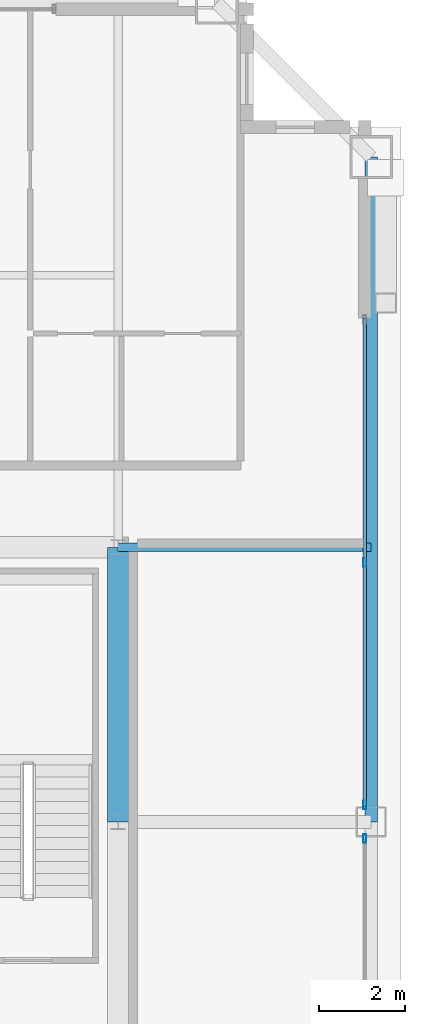
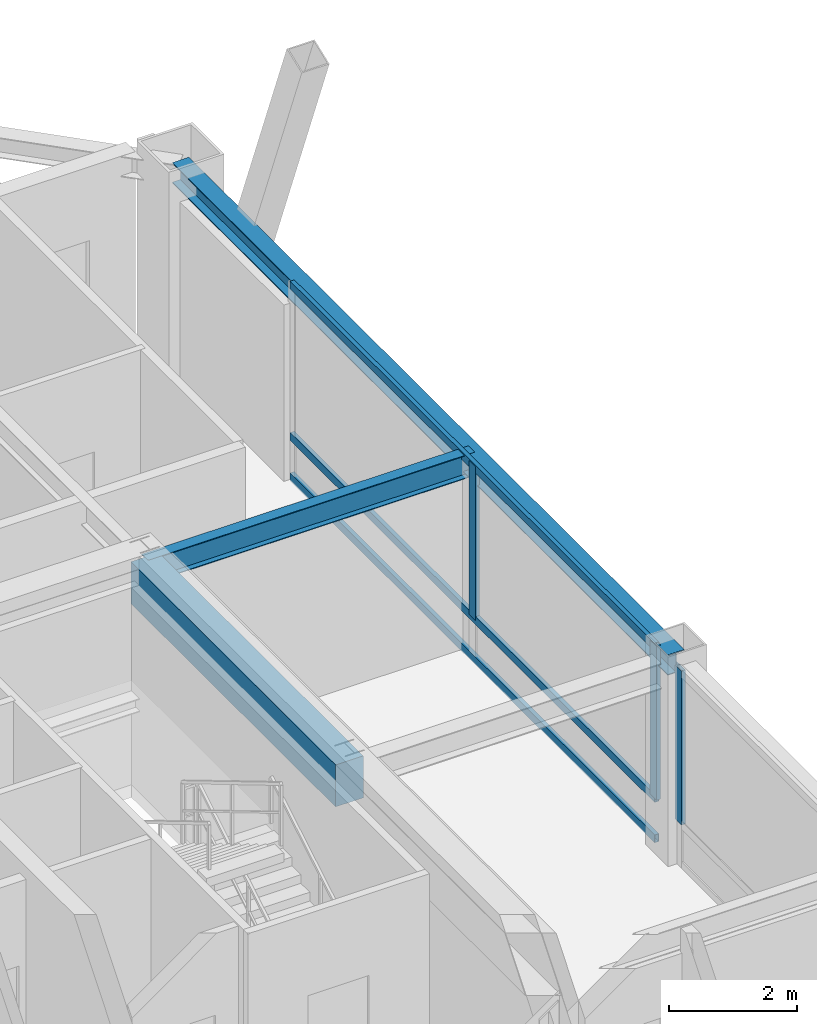
# One storey, part 14 of 35: 6 members, 3 beams, 2 elements without a shape of their own.
"""IFC4 building model written with IfcOpenShell, lengths in metres."""

from ifc_helpers import new_model, si_unit, direction, frame, origin, origin_2d, place, context, subcontext, project, spatial, rectangle, hollow_rectangle, i_section, extrude, source, transform, mapped, material, layer, layer_set, material_profile, profile_set, type_object, element, aggregate, save


model = new_model("IFC4")

# Units and contexts
model_context = context("Model", 3, precision=1e-05, world=origin(), true_north=direction((0.0, 1.0)))
body_context = subcontext(model_context, "Body", "Model", "MODEL_VIEW")
ifc_project = project(units=[si_unit("LENGTHUNIT", "METRE"), si_unit("AREAUNIT", "SQUARE_METRE"), si_unit("VOLUMEUNIT", "CUBIC_METRE"), si_unit("PLANEANGLEUNIT", "RADIAN"), si_unit("MASSUNIT", "GRAM", prefix="KILO"), si_unit("THERMODYNAMICTEMPERATUREUNIT", "KELVIN"), si_unit("POWERUNIT", "WATT")], contexts=[model_context])

# Site, building, storey
site_placement = place(None, origin())
site = spatial("IfcSite", under=ifc_project, at=site_placement, CompositionType="ELEMENT")
building_placement = place(site_placement, origin())
building = spatial("IfcBuilding", under=site, at=building_placement, Name="Yuzanri Waterfront Tower", CompositionType="ELEMENT")
storey_placement = place(building_placement, frame((0.0, 0.0, 343.199951171875)))
storey = spatial("IfcBuildingStorey", under=building, at=storey_placement, Name="L92", CompositionType="ELEMENT", Elevation=343.199951171875)

# Beams
ifc_material_1 = material(Name="Concrete C50", Category="concrete")
ifc_material_profile_1 = material_profile(ifc_material_1, rectangle(XDim=0.5, YDim=0.800048828125, at=origin_2d()), Name="RC 500x800")
ifc_profile_set_1 = profile_set([ifc_material_profile_1], Name="Concrete C50")
beam_type_1 = type_object("IfcBeamType", Name="Core Coupling Lintel Concrete C50 500x800", PredefinedType="LINTEL", material=ifc_profile_set_1)
shared_shape_1 = source(origin(), body_context, "Body", "SweptSolid", [
    extrude(rectangle(XDim=0.5, YDim=0.800048828125, at=origin_2d()), origin(), (0.0, 0.0, 1.0), 6.39990234375),
])
beam_1_placement = place(storey_placement, frame((50.199951171875, 25.800048828125, 3.360107421875), z_axis=(0.0, 1.0, 0.0), x_axis=(-1.0, 0.0, 0.0)))
element("IfcBeam", 1, at=beam_1_placement, inside=storey, type_object=beam_type_1, Name="L92 Core Tie Beam CE2", PredefinedType="LINTEL", context=body_context, shape_type="MappedRepresentation", body=[
    mapped(shared_shape_1, transform((0.0, 0.0, 0.0), scale=1.0)),
])
ifc_material_2 = material(Name="Steel Q355B", Category="steel")
ifc_material_profile_2 = material_profile(ifc_material_2, i_section(OverallWidth=0.300048828125, OverallDepth=0.389892578125, WebThickness=0.010009765625, FlangeThickness=0.01611328125, at=origin_2d()), Name="HM 390x300x10x16")
ifc_profile_set_2 = profile_set([ifc_material_profile_2], Name="Steel Q355B")
beam_type_2 = type_object("IfcBeamType", Name="Perimeter Spandrel Q355B HM 390x300", PredefinedType="SPANDREL", material=ifc_profile_set_2)
shared_shape_2 = source(origin(), body_context, "Body", "SweptSolid", [
    extrude(i_section(OverallWidth=0.300048828125, OverallDepth=0.389892578125, WebThickness=0.010009765625, FlangeThickness=0.01611328125, at=origin_2d()), origin(), (0.0, 0.0, 1.0), 15.5),
])
beam_2_placement = place(storey_placement, frame((56.10009765625, 25.800048828125, 3.56494140625), z_axis=(0.0, 1.0, 0.0), x_axis=(-1.0, 0.0, 0.0)))
element("IfcBeam", 2, at=beam_2_placement, inside=storey, type_object=beam_type_2, Name="L92 Perimeter Spandrel E2-E3", PredefinedType="SPANDREL", context=body_context, shape_type="MappedRepresentation", body=[
    mapped(shared_shape_2, transform((0.0, 0.0, 0.0), scale=1.0)),
])
ifc_material_3 = material(Name="Steel Q355B", Category="steel")
ifc_material_profile_3 = material_profile(ifc_material_3, i_section(OverallWidth=0.199951171875, OverallDepth=0.449951171875, WebThickness=0.009033203125, FlangeThickness=0.013916015625, at=origin_2d()), Name="HN 450x200x9x14")
ifc_profile_set_3 = profile_set([ifc_material_profile_3], Name="Steel Q355B")
beam_type_3 = type_object("IfcBeamType", Name="Secondary Floor Beam Q355B HN 450x200", PredefinedType="BEAM", material=ifc_profile_set_3)
shared_shape_3 = source(origin(), body_context, "Body", "SweptSolid", [
    extrude(i_section(OverallWidth=0.199951171875, OverallDepth=0.449951171875, WebThickness=0.009033203125, FlangeThickness=0.013916015625, at=origin_2d()), origin(), (0.0, 0.0, 1.0), 5.900146484375),
])
beam_3_placement = place(storey_placement, frame((50.199951171875, 32.199951171875, 3.53515625), z_axis=(1.0, 0.0, 0.0), x_axis=(0.0, 1.0, 0.0)))
element("IfcBeam", 3, at=beam_3_placement, inside=storey, type_object=beam_type_3, Name="L92 East-North Core Line Beam", PredefinedType="BEAM", context=body_context, shape_type="MappedRepresentation", body=[
    mapped(shared_shape_3, transform((0.0, 0.0, 0.0), scale=1.0)),
])

# Curtain wall, members
ifc_material_4 = material(Name="Anodized Architectural Bronze", Category="metal")
ifc_layer = layer(ifc_material_4, 0.159912109375)
ifc_layer_set = layer_set([ifc_layer], Name="Anodized Architectural Bronze")
curtain_wall_type = type_object("IfcCurtainWallType", Name="Anodized Bronze High-Rise Penthouse High-Wind Unitized Curtain Wall 6900", PredefinedType="NOTDEFINED", material=ifc_layer_set)
curtain_wall_1_placement = place(storey_placement, origin())
curtain_wall_1 = element("IfcCurtainWall", 4, at=curtain_wall_1_placement, inside=storey, type_object=curtain_wall_type, Name="L92 Curtain Wall CW-L92-ER", PredefinedType="NOTDEFINED")
ifc_material_5 = material(Name="Anodized Architectural Bronze", Category="metal")
ifc_material_profile_4 = material_profile(ifc_material_5, hollow_rectangle(XDim=0.074951171875, YDim=0.14990234375, WallThickness=0.00390625, at=origin_2d()), Name="CWT 75x150")
ifc_profile_set_4 = profile_set([ifc_material_profile_4], Name="Anodized Architectural Bronze")
member_type_1 = type_object("IfcMemberType", Name="Anodized Bronze Primary Curtain-Wall Transom 75x150", PredefinedType="USERDEFINED", material=ifc_profile_set_4)
shared_shape_4 = source(origin(), body_context, "Body", "SweptSolid", [
    extrude(hollow_rectangle(XDim=0.074951171875, YDim=0.14990234375, WallThickness=0.00390625, at=origin_2d()), origin(), (0.0, 0.0, 1.0), 11.400146484375),
])
member_1_placement = place(storey_placement, frame((55.949951171875, 26.14990234375, 0.050048828125), z_axis=(0.0, 1.0, 0.0), x_axis=(-1.0, 0.0, 0.0)))
member_1 = element("IfcMember", 5, at=member_1_placement, type_object=member_type_1, Name="CW-L92-ER Transom 1", ObjectType="TRANSOM", PredefinedType="USERDEFINED", context=body_context, shape_type="MappedRepresentation", body=[
    mapped(shared_shape_4, transform((0.0, 0.0, 0.0), scale=1.0)),
])
member_2_placement = place(storey_placement, frame((55.949951171875, 26.14990234375, 0.820068359375), z_axis=(0.0, 1.0, 0.0), x_axis=(-1.0, 0.0, 0.0)))
member_2 = element("IfcMember", 6, at=member_2_placement, type_object=member_type_1, Name="CW-L92-ER Transom 2", ObjectType="TRANSOM", PredefinedType="USERDEFINED", context=body_context, shape_type="MappedRepresentation", body=[
    mapped(shared_shape_4, transform((0.0, 0.0, 0.0), scale=1.0)),
])
member_3_placement = place(storey_placement, frame((55.949951171875, 26.14990234375, 3.7099609375), z_axis=(0.0, 1.0, 0.0), x_axis=(-1.0, 0.0, 0.0)))
member_3 = element("IfcMember", 7, at=member_3_placement, type_object=member_type_1, Name="CW-L92-ER Transom 3", ObjectType="TRANSOM", PredefinedType="USERDEFINED", context=body_context, shape_type="MappedRepresentation", body=[
    mapped(shared_shape_4, transform((0.0, 0.0, 0.0), scale=1.0)),
])

# Curtain wall, member
curtain_wall_2_placement = place(storey_placement, origin())
curtain_wall_2 = element("IfcCurtainWall", 8, at=curtain_wall_2_placement, inside=storey, type_object=curtain_wall_type, Name="L92 Curtain Wall CW-L92-EL", PredefinedType="NOTDEFINED")
ifc_material_6 = material(Name="Anodized Architectural Bronze", Category="metal")
ifc_material_profile_5 = material_profile(ifc_material_6, hollow_rectangle(XDim=0.074951171875, YDim=0.199951171875, WallThickness=0.00390625, at=origin_2d()), Name="CWM 75x200")
ifc_profile_set_5 = profile_set([ifc_material_profile_5], Name="Anodized Architectural Bronze")
member_type_2 = type_object("IfcMemberType", Name="Anodized Bronze Primary Curtain-Wall Mullion 75x200", PredefinedType="MULLION", material=ifc_profile_set_5)
shared_shape_5 = source(origin(), body_context, "Body", "SweptSolid", [
    extrude(hollow_rectangle(XDim=0.074951171875, YDim=0.199951171875, WallThickness=0.00390625, at=origin_2d()), origin(), (0.0, 0.0, 1.0), 2.93798828125),
])
member_4_placement = place(storey_placement, frame((55.949951171875, 25.409912109375, 0.822021484375), z_axis=(0.0, 0.0, 1.0), x_axis=(1.0, 0.0, 0.0)))
member_4 = element("IfcMember", 9, at=member_4_placement, type_object=member_type_2, Name="CW-L92-EL Upper Mullion 02", PredefinedType="MULLION", context=body_context, shape_type="MappedRepresentation", body=[
    mapped(shared_shape_5, transform((0.0, 0.0, 0.0), scale=1.0)),
])
aggregate(curtain_wall_2, [member_4])

# Member
member_5_placement = place(storey_placement, frame((55.949951171875, 26.18994140625, 0.822021484375), z_axis=(0.0, 0.0, 1.0), x_axis=(1.0, 0.0, 0.0)))
member_5 = element("IfcMember", 10, at=member_5_placement, type_object=member_type_2, Name="CW-L92-ER Upper Mullion 00", PredefinedType="MULLION", context=body_context, shape_type="MappedRepresentation", body=[
    mapped(shared_shape_5, transform((0.0, 0.0, 0.0), scale=1.0)),
])

member_6_placement = place(storey_placement, frame((55.949951171875, 31.85009765625, 0.822021484375), z_axis=(0.0, 0.0, 1.0), x_axis=(1.0, 0.0, 0.0)))
member_6 = element("IfcMember", 11, at=member_6_placement, type_object=member_type_2, Name="CW-L92-ER Upper Mullion 01", PredefinedType="MULLION", context=body_context, shape_type="MappedRepresentation", body=[
    mapped(shared_shape_5, transform((0.0, 0.0, 0.0), scale=1.0)),
])

aggregate(curtain_wall_1, [member_5, member_6, member_1, member_2, member_3])

save(model, "model.ifc")
